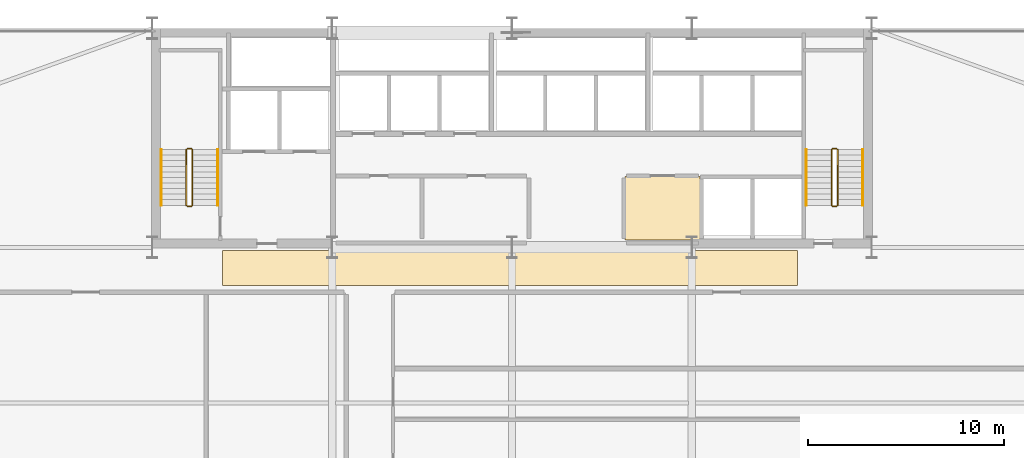
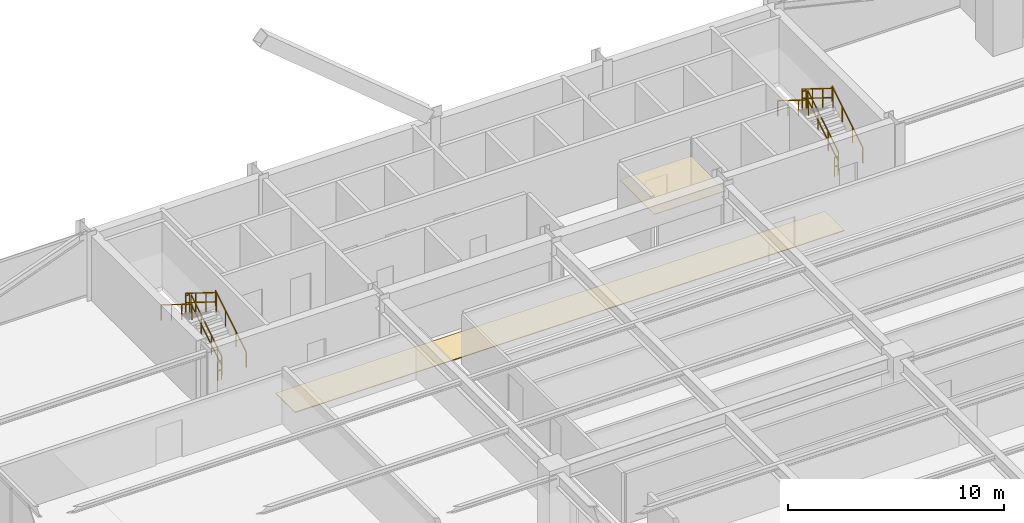
# One storey, part 35 of 35: 12 railings, 2 coverings.
"""IFC4 building model written with IfcOpenShell, lengths in metres."""

from ifc_helpers import new_model, si_unit, direction, frame, origin, origin_2d, place, context, subcontext, project, spatial, polyline, rectangle, outline, extrude, material, layer, layer_set, type_object, element, save


model = new_model("IFC4")

# Units and contexts
model_context = context("Model", 3, precision=1e-05, world=origin(), true_north=direction((0.0, 1.0)))
body_context = subcontext(model_context, "Body", "Model", "MODEL_VIEW")
ifc_project = project(units=[si_unit("LENGTHUNIT", "METRE"), si_unit("AREAUNIT", "SQUARE_METRE"), si_unit("VOLUMEUNIT", "CUBIC_METRE"), si_unit("PLANEANGLEUNIT", "RADIAN"), si_unit("MASSUNIT", "GRAM", prefix="KILO")], contexts=[model_context])

# Site, building, storey
site_placement = place(None, origin())
site = spatial("IfcSite", under=ifc_project, at=site_placement, CompositionType="ELEMENT")
building_placement = place(site_placement, origin())
building = spatial("IfcBuilding", under=site, at=building_placement, Name="Varnel Quay Broadcast Tower", CompositionType="ELEMENT")
storey_placement = place(building_placement, frame((0.0, 0.0, 31.5)))
storey = spatial("IfcBuildingStorey", under=building, at=storey_placement, Name="L06", CompositionType="ELEMENT", Elevation=31.5)

# Coverings
ifc_material_1 = material(Name="Micro-Perforated Acoustic Ceiling Tile")
ifc_layer_1 = layer(ifc_material_1, 0.0400390625, Name="Micro-Perforated Acoustic Ceiling Tile")
ifc_layer_set_1 = layer_set([ifc_layer_1], Name="Micro-Perforated Acoustic Ceiling Tile")
covering_type_1 = type_object("IfcCoveringType", Name="Cov_AcousticCeiling", PredefinedType="CEILING", material=ifc_layer_set_1)
covering_1_placement = place(storey_placement, frame((0.0, 0.0, 2.580078125)))
element("IfcCovering", 1, at=covering_1_placement, inside=storey, type_object=covering_type_1, Name="L06 Electrical Sub-Distribution Closet Acoustic Ceiling", PredefinedType="CEILING", context=body_context, shape_type="SweptSolid", body=[
    extrude(outline(polyline([(39.784912109375, 35.985107421875), (43.614990234375, 35.985107421875), (43.614990234375, 39.215087890625), (39.784912109375, 39.215087890625), (39.784912109375, 35.985107421875)])), origin(), (0.0, 0.0, 1.0), 0.0400390625),
])
ifc_material_2 = material(Name="Polished Terrazzo & Broadcast Raised Flooring")
ifc_layer_2 = layer(ifc_material_2, 0.0400390625, Name="Polished Terrazzo & Broadcast Raised Flooring")
ifc_layer_set_2 = layer_set([ifc_layer_2], Name="Polished Terrazzo & Broadcast Raised Flooring")
covering_type_2 = type_object("IfcCoveringType", Name="Cov_TerrazzoFloor", PredefinedType="FLOORING", material=ifc_layer_set_2)
covering_2_placement = place(storey_placement, origin())
element("IfcCovering", 2, at=covering_2_placement, inside=storey, type_object=covering_type_2, Name="L06 Corridor Terrazzo Flooring", PredefinedType="FLOORING", context=body_context, shape_type="SweptSolid", body=[
    extrude(outline(polyline([(19.199951171875, 33.64990234375), (48.60009765625, 33.64990234375), (48.60009765625, 35.449951171875), (19.199951171875, 35.449951171875), (19.199951171875, 33.64990234375)])), origin(), (0.0, 0.0, 1.0), 0.0400390625),
])

# Railings
ifc_material_3 = material(Name="Painted Steel Guard and Handrail CSA G40.21 350W", Category="steel")
railing_type_1 = type_object("IfcRailingType", Name="Rail_StairGuard1100", PredefinedType="GUARDRAIL", material=ifc_material_3)
railing_1_placement = place(storey_placement, frame((17.64990234375, 37.75, 0.17724609375)))
element("IfcRailing", 3, at=railing_1_placement, inside=storey, type_object=railing_type_1, Name="L06 ST-01 stair guard 1", PredefinedType="GUARDRAIL", context=body_context, shape_type="SweptSolid", body=[
    extrude(rectangle(XDim=0.048095703125, YDim=0.048095703125, at=origin_2d()), frame((0.0, 0.0, 1.076171875), z_axis=(0.0, 0.849148672731, 0.528153890072), x_axis=(-1.0, 0.0, 0.0)), (0.0, 0.0, 1.0), 3.3564453125),
    extrude(rectangle(XDim=0.048095703125, YDim=0.048095703125, at=origin_2d()), frame((0.0, 0.0, 0.550048828125), z_axis=(0.0, 0.849148672731, 0.528153890072), x_axis=(-1.0, 0.0, 0.0)), (0.0, 0.0, 1.0), 3.3564453125),
    extrude(rectangle(XDim=0.0419921875, YDim=0.0419921875, at=origin_2d()), origin(), (0.0, 0.0, 1.0), 1.052001953125),
    extrude(rectangle(XDim=0.0419921875, YDim=0.0419921875, at=origin_2d()), frame((0.0, 0.949951171875, 0.5908203125)), (0.0, 0.0, 1.0), 1.052001953125),
    extrude(rectangle(XDim=0.0419921875, YDim=0.0419921875, at=origin_2d()), frame((0.0, 1.900146484375, 1.181884765625)), (0.0, 0.0, 1.0), 1.052001953125),
    extrude(rectangle(XDim=0.0419921875, YDim=0.0419921875, at=origin_2d()), frame((0.0, 2.85009765625, 1.772705078125)), (0.0, 0.0, 1.0), 1.052001953125),
])
railing_2_placement = place(storey_placement, frame((17.60009765625, 40.64990234375, 1.949951171875)))
element("IfcRailing", 4, at=railing_2_placement, inside=storey, type_object=railing_type_1, Name="L06 ST-01 stair guard 2", PredefinedType="GUARDRAIL", context=body_context, shape_type="SweptSolid", body=[
    extrude(rectangle(XDim=0.048095703125, YDim=0.048095703125, at=origin_2d()), frame((0.0, 0.0, 1.076171875), z_axis=(-1.0, 0.0, 0.0), x_axis=(0.0, -1.0, 0.0)), (0.0, 0.0, 1.0), 0.2001953125),
    extrude(rectangle(XDim=0.048095703125, YDim=0.048095703125, at=origin_2d()), frame((0.0, 0.0, 0.550048828125), z_axis=(-1.0, 0.0, 0.0), x_axis=(0.0, -1.0, 0.0)), (0.0, 0.0, 1.0), 0.2001953125),
    extrude(rectangle(XDim=0.0419921875, YDim=0.0419921875, at=origin_2d()), origin(), (0.0, 0.0, 1.0), 1.052001953125),
    extrude(rectangle(XDim=0.0419921875, YDim=0.0419921875, at=origin_2d()), frame((-0.2001953125, 0.0, 0.0)), (0.0, 0.0, 1.0), 1.052001953125),
])
railing_3_placement = place(storey_placement, frame((17.35009765625, 40.60009765625, 2.127197265625)))
element("IfcRailing", 5, at=railing_3_placement, inside=storey, type_object=railing_type_1, Name="L06 ST-01 stair guard 3", PredefinedType="GUARDRAIL", context=body_context, shape_type="SweptSolid", body=[
    extrude(rectangle(XDim=0.048095703125, YDim=0.048095703125, at=origin_2d()), frame((0.0, 0.0, 1.076171875), z_axis=(0.0, -0.849148672731, 0.528153890072), x_axis=(1.0, 0.0, 0.0)), (0.0, 0.0, 1.0), 3.3564453125),
    extrude(rectangle(XDim=0.048095703125, YDim=0.048095703125, at=origin_2d()), frame((0.0, 0.0, 0.550048828125), z_axis=(0.0, -0.849148672731, 0.528153890072), x_axis=(1.0, 0.0, 0.0)), (0.0, 0.0, 1.0), 3.3564453125),
    extrude(rectangle(XDim=0.0419921875, YDim=0.0419921875, at=origin_2d()), origin(), (0.0, 0.0, 1.0), 1.052001953125),
    extrude(rectangle(XDim=0.0419921875, YDim=0.0419921875, at=origin_2d()), frame((0.0, -0.949951171875, 0.5908203125)), (0.0, 0.0, 1.0), 1.052001953125),
    extrude(rectangle(XDim=0.0419921875, YDim=0.0419921875, at=origin_2d()), frame((0.0, -1.900146484375, 1.181884765625)), (0.0, 0.0, 1.0), 1.052001953125),
    extrude(rectangle(XDim=0.0419921875, YDim=0.0419921875, at=origin_2d()), frame((0.0, -2.85009765625, 1.772705078125)), (0.0, 0.0, 1.0), 1.052001953125),
])
railing_4_placement = place(storey_placement, frame((17.60009765625, 37.699951171875, 0.0)))
element("IfcRailing", 6, at=railing_4_placement, inside=storey, type_object=railing_type_1, Name="L06 ST-01 stair guard 4", PredefinedType="GUARDRAIL", context=body_context, shape_type="SweptSolid", body=[
    extrude(rectangle(XDim=0.048095703125, YDim=0.048095703125, at=origin_2d()), frame((0.0, 0.0, 1.076171875), z_axis=(-1.0, 0.0, 0.0), x_axis=(0.0, -1.0, 0.0)), (0.0, 0.0, 1.0), 0.2001953125),
    extrude(rectangle(XDim=0.048095703125, YDim=0.048095703125, at=origin_2d()), frame((0.0, 0.0, 0.550048828125), z_axis=(-1.0, 0.0, 0.0), x_axis=(0.0, -1.0, 0.0)), (0.0, 0.0, 1.0), 0.2001953125),
    extrude(rectangle(XDim=0.0419921875, YDim=0.0419921875, at=origin_2d()), origin(), (0.0, 0.0, 1.0), 1.052001953125),
    extrude(rectangle(XDim=0.0419921875, YDim=0.0419921875, at=origin_2d()), frame((-0.2001953125, 0.0, 0.0)), (0.0, 0.0, 1.0), 1.052001953125),
])
railing_5_placement = place(storey_placement, frame((50.64990234375, 37.75, 0.17724609375)))
element("IfcRailing", 7, at=railing_5_placement, inside=storey, type_object=railing_type_1, Name="L06 ST-02 stair guard 1", PredefinedType="GUARDRAIL", context=body_context, shape_type="SweptSolid", body=[
    extrude(rectangle(XDim=0.048095703125, YDim=0.048095703125, at=origin_2d()), frame((0.0, 0.0, 1.076171875), z_axis=(0.0, 0.849148672731, 0.528153890072), x_axis=(-1.0, 0.0, 0.0)), (0.0, 0.0, 1.0), 3.3564453125),
    extrude(rectangle(XDim=0.048095703125, YDim=0.048095703125, at=origin_2d()), frame((0.0, 0.0, 0.550048828125), z_axis=(0.0, 0.849148672731, 0.528153890072), x_axis=(-1.0, 0.0, 0.0)), (0.0, 0.0, 1.0), 3.3564453125),
    extrude(rectangle(XDim=0.0419921875, YDim=0.0419921875, at=origin_2d()), origin(), (0.0, 0.0, 1.0), 1.052001953125),
    extrude(rectangle(XDim=0.0419921875, YDim=0.0419921875, at=origin_2d()), frame((0.0, 0.949951171875, 0.5908203125)), (0.0, 0.0, 1.0), 1.052001953125),
    extrude(rectangle(XDim=0.0419921875, YDim=0.0419921875, at=origin_2d()), frame((0.0, 1.900146484375, 1.181884765625)), (0.0, 0.0, 1.0), 1.052001953125),
    extrude(rectangle(XDim=0.0419921875, YDim=0.0419921875, at=origin_2d()), frame((0.0, 2.85009765625, 1.772705078125)), (0.0, 0.0, 1.0), 1.052001953125),
])
railing_6_placement = place(storey_placement, frame((50.60009765625, 40.64990234375, 1.949951171875)))
element("IfcRailing", 8, at=railing_6_placement, inside=storey, type_object=railing_type_1, Name="L06 ST-02 stair guard 2", PredefinedType="GUARDRAIL", context=body_context, shape_type="SweptSolid", body=[
    extrude(rectangle(XDim=0.048095703125, YDim=0.048095703125, at=origin_2d()), frame((0.0, 0.0, 1.076171875), z_axis=(-1.0, 0.0, 0.0), x_axis=(0.0, -1.0, 0.0)), (0.0, 0.0, 1.0), 0.2001953125),
    extrude(rectangle(XDim=0.048095703125, YDim=0.048095703125, at=origin_2d()), frame((0.0, 0.0, 0.550048828125), z_axis=(-1.0, 0.0, 0.0), x_axis=(0.0, -1.0, 0.0)), (0.0, 0.0, 1.0), 0.2001953125),
    extrude(rectangle(XDim=0.0419921875, YDim=0.0419921875, at=origin_2d()), origin(), (0.0, 0.0, 1.0), 1.052001953125),
    extrude(rectangle(XDim=0.0419921875, YDim=0.0419921875, at=origin_2d()), frame((-0.2001953125, 0.0, 0.0)), (0.0, 0.0, 1.0), 1.052001953125),
])
railing_7_placement = place(storey_placement, frame((50.35009765625, 40.60009765625, 2.127197265625)))
element("IfcRailing", 9, at=railing_7_placement, inside=storey, type_object=railing_type_1, Name="L06 ST-02 stair guard 3", PredefinedType="GUARDRAIL", context=body_context, shape_type="SweptSolid", body=[
    extrude(rectangle(XDim=0.048095703125, YDim=0.048095703125, at=origin_2d()), frame((0.0, 0.0, 1.076171875), z_axis=(0.0, -0.849148672731, 0.528153890072), x_axis=(1.0, 0.0, 0.0)), (0.0, 0.0, 1.0), 3.3564453125),
    extrude(rectangle(XDim=0.048095703125, YDim=0.048095703125, at=origin_2d()), frame((0.0, 0.0, 0.550048828125), z_axis=(0.0, -0.849148672731, 0.528153890072), x_axis=(1.0, 0.0, 0.0)), (0.0, 0.0, 1.0), 3.3564453125),
    extrude(rectangle(XDim=0.0419921875, YDim=0.0419921875, at=origin_2d()), origin(), (0.0, 0.0, 1.0), 1.052001953125),
    extrude(rectangle(XDim=0.0419921875, YDim=0.0419921875, at=origin_2d()), frame((0.0, -0.949951171875, 0.5908203125)), (0.0, 0.0, 1.0), 1.052001953125),
    extrude(rectangle(XDim=0.0419921875, YDim=0.0419921875, at=origin_2d()), frame((0.0, -1.900146484375, 1.181884765625)), (0.0, 0.0, 1.0), 1.052001953125),
    extrude(rectangle(XDim=0.0419921875, YDim=0.0419921875, at=origin_2d()), frame((0.0, -2.85009765625, 1.772705078125)), (0.0, 0.0, 1.0), 1.052001953125),
])
railing_8_placement = place(storey_placement, frame((50.60009765625, 37.699951171875, 0.0)))
element("IfcRailing", 10, at=railing_8_placement, inside=storey, type_object=railing_type_1, Name="L06 ST-02 stair guard 4", PredefinedType="GUARDRAIL", context=body_context, shape_type="SweptSolid", body=[
    extrude(rectangle(XDim=0.048095703125, YDim=0.048095703125, at=origin_2d()), frame((0.0, 0.0, 1.076171875), z_axis=(-1.0, 0.0, 0.0), x_axis=(0.0, -1.0, 0.0)), (0.0, 0.0, 1.0), 0.2001953125),
    extrude(rectangle(XDim=0.048095703125, YDim=0.048095703125, at=origin_2d()), frame((0.0, 0.0, 0.550048828125), z_axis=(-1.0, 0.0, 0.0), x_axis=(0.0, -1.0, 0.0)), (0.0, 0.0, 1.0), 0.2001953125),
    extrude(rectangle(XDim=0.0419921875, YDim=0.0419921875, at=origin_2d()), origin(), (0.0, 0.0, 1.0), 1.052001953125),
    extrude(rectangle(XDim=0.0419921875, YDim=0.0419921875, at=origin_2d()), frame((-0.2001953125, 0.0, 0.0)), (0.0, 0.0, 1.0), 1.052001953125),
])
railing_type_2 = type_object("IfcRailingType", Name="Rail_StairHandrail900", PredefinedType="HANDRAIL", material=ifc_material_3)
railing_9_placement = place(storey_placement, frame((18.949951171875, 37.75, 0.17724609375)))
element("IfcRailing", 11, at=railing_9_placement, inside=storey, type_object=railing_type_2, Name="L06 ST-01 stair handrail 1", PredefinedType="HANDRAIL", context=body_context, shape_type="SweptSolid", body=[
    extrude(rectangle(XDim=0.048095703125, YDim=0.048095703125, at=origin_2d()), frame((0.0, 0.0, 0.8759765625), z_axis=(0.0, 0.849148672731, 0.528153890072), x_axis=(-1.0, 0.0, 0.0)), (0.0, 0.0, 1.0), 3.3564453125),
    extrude(rectangle(XDim=0.0419921875, YDim=0.0419921875, at=origin_2d()), origin(), (0.0, 0.0, 1.0), 0.851806640625),
    extrude(rectangle(XDim=0.0419921875, YDim=0.0419921875, at=origin_2d()), frame((0.0, 0.949951171875, 0.5908203125)), (0.0, 0.0, 1.0), 0.851806640625),
    extrude(rectangle(XDim=0.0419921875, YDim=0.0419921875, at=origin_2d()), frame((0.0, 1.900146484375, 1.181884765625)), (0.0, 0.0, 1.0), 0.851806640625),
    extrude(rectangle(XDim=0.0419921875, YDim=0.0419921875, at=origin_2d()), frame((0.0, 2.85009765625, 1.772705078125)), (0.0, 0.0, 1.0), 0.851806640625),
])
railing_10_placement = place(storey_placement, frame((16.050048828125, 40.60009765625, 2.127197265625)))
element("IfcRailing", 12, at=railing_10_placement, inside=storey, type_object=railing_type_2, Name="L06 ST-01 stair handrail 2", PredefinedType="HANDRAIL", context=body_context, shape_type="SweptSolid", body=[
    extrude(rectangle(XDim=0.048095703125, YDim=0.048095703125, at=origin_2d()), frame((0.0, 0.0, 0.8759765625), z_axis=(0.0, -0.849148672731, 0.528153890072), x_axis=(1.0, 0.0, 0.0)), (0.0, 0.0, 1.0), 3.3564453125),
    extrude(rectangle(XDim=0.0419921875, YDim=0.0419921875, at=origin_2d()), origin(), (0.0, 0.0, 1.0), 0.851806640625),
    extrude(rectangle(XDim=0.0419921875, YDim=0.0419921875, at=origin_2d()), frame((0.0, -0.949951171875, 0.5908203125)), (0.0, 0.0, 1.0), 0.851806640625),
    extrude(rectangle(XDim=0.0419921875, YDim=0.0419921875, at=origin_2d()), frame((0.0, -1.900146484375, 1.181884765625)), (0.0, 0.0, 1.0), 0.851806640625),
    extrude(rectangle(XDim=0.0419921875, YDim=0.0419921875, at=origin_2d()), frame((0.0, -2.85009765625, 1.772705078125)), (0.0, 0.0, 1.0), 0.851806640625),
])
railing_11_placement = place(storey_placement, frame((51.949951171875, 37.75, 0.17724609375)))
element("IfcRailing", 13, at=railing_11_placement, inside=storey, type_object=railing_type_2, Name="L06 ST-02 stair handrail 1", PredefinedType="HANDRAIL", context=body_context, shape_type="SweptSolid", body=[
    extrude(rectangle(XDim=0.048095703125, YDim=0.048095703125, at=origin_2d()), frame((0.0, 0.0, 0.8759765625), z_axis=(0.0, 0.849148672731, 0.528153890072), x_axis=(-1.0, 0.0, 0.0)), (0.0, 0.0, 1.0), 3.3564453125),
    extrude(rectangle(XDim=0.0419921875, YDim=0.0419921875, at=origin_2d()), origin(), (0.0, 0.0, 1.0), 0.851806640625),
    extrude(rectangle(XDim=0.0419921875, YDim=0.0419921875, at=origin_2d()), frame((0.0, 0.949951171875, 0.5908203125)), (0.0, 0.0, 1.0), 0.851806640625),
    extrude(rectangle(XDim=0.0419921875, YDim=0.0419921875, at=origin_2d()), frame((0.0, 1.900146484375, 1.181884765625)), (0.0, 0.0, 1.0), 0.851806640625),
    extrude(rectangle(XDim=0.0419921875, YDim=0.0419921875, at=origin_2d()), frame((0.0, 2.85009765625, 1.772705078125)), (0.0, 0.0, 1.0), 0.851806640625),
])
railing_12_placement = place(storey_placement, frame((49.050048828125, 40.60009765625, 2.127197265625)))
element("IfcRailing", 14, at=railing_12_placement, inside=storey, type_object=railing_type_2, Name="L06 ST-02 stair handrail 2", PredefinedType="HANDRAIL", context=body_context, shape_type="SweptSolid", body=[
    extrude(rectangle(XDim=0.048095703125, YDim=0.048095703125, at=origin_2d()), frame((0.0, 0.0, 0.8759765625), z_axis=(0.0, -0.849148672731, 0.528153890072), x_axis=(1.0, 0.0, 0.0)), (0.0, 0.0, 1.0), 3.3564453125),
    extrude(rectangle(XDim=0.0419921875, YDim=0.0419921875, at=origin_2d()), origin(), (0.0, 0.0, 1.0), 0.851806640625),
    extrude(rectangle(XDim=0.0419921875, YDim=0.0419921875, at=origin_2d()), frame((0.0, -0.949951171875, 0.5908203125)), (0.0, 0.0, 1.0), 0.851806640625),
    extrude(rectangle(XDim=0.0419921875, YDim=0.0419921875, at=origin_2d()), frame((0.0, -1.900146484375, 1.181884765625)), (0.0, 0.0, 1.0), 0.851806640625),
    extrude(rectangle(XDim=0.0419921875, YDim=0.0419921875, at=origin_2d()), frame((0.0, -2.85009765625, 1.772705078125)), (0.0, 0.0, 1.0), 0.851806640625),
])

save(model, "model.ifc")
